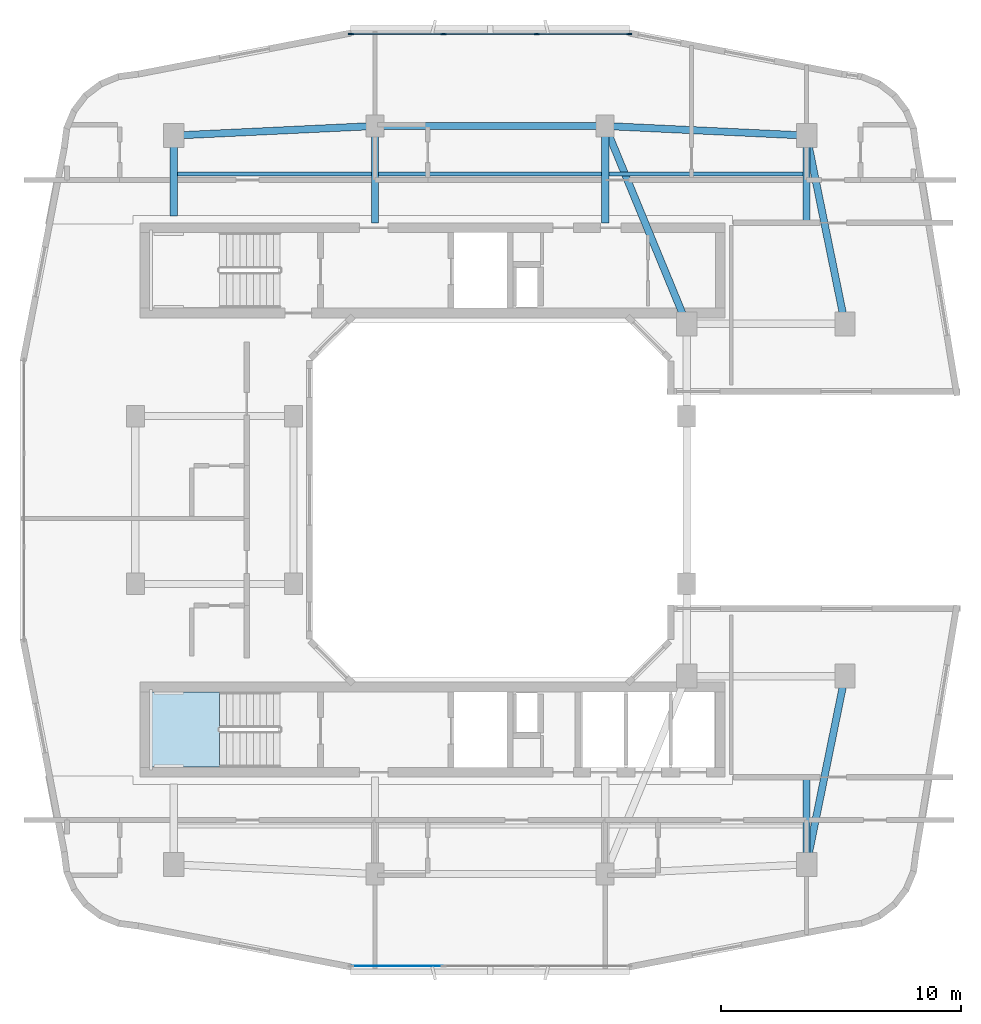
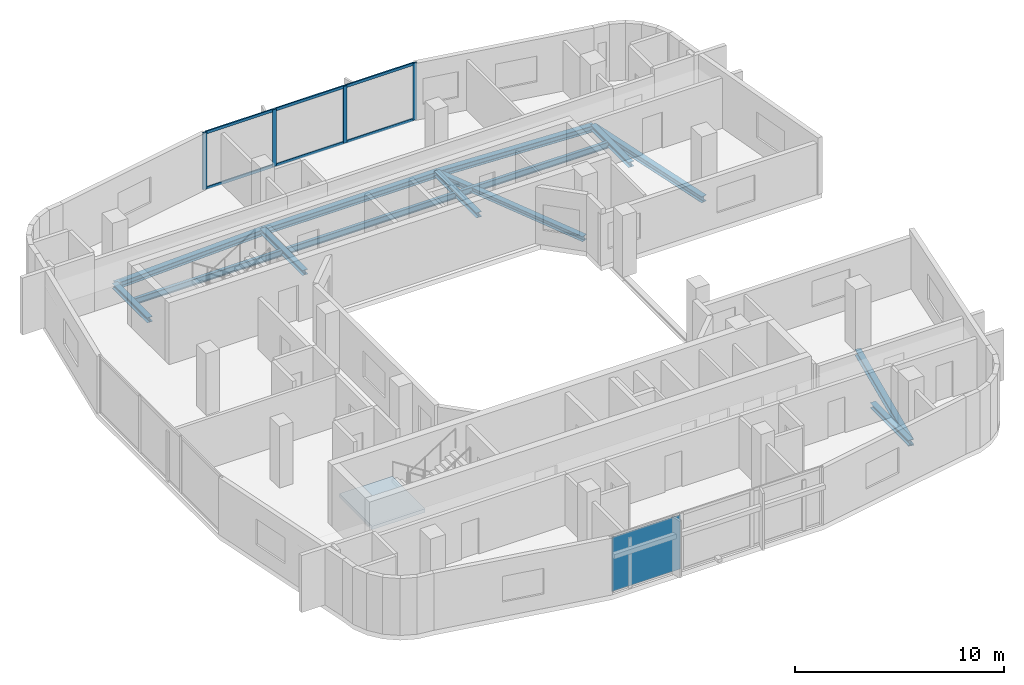
# One storey, part 3 of 12: 14 beams, 10 members, 1 plate, 1 slab, 3 elements without a shape of their own.
"""IFC4 building model written with IfcOpenShell, lengths in metres."""

from ifc_helpers import new_model, si_unit, derived_unit, direction, frame, origin, origin_2d, place, context, subcontext, project, spatial, polyline, rectangle, i_section, outline, extrude, material, layer, layer_set, material_profile, profile_set, type_object, element, aggregate, save


model = new_model("IFC4")

# Units and contexts
model_context = context("Model", 3, precision=1e-05, world=origin(), true_north=direction((0.0, 1.0)))
body_context = subcontext(model_context, "Body", "Model", "MODEL_VIEW")
ifc_project = project(units=[si_unit("LENGTHUNIT", "METRE"), si_unit("AREAUNIT", "SQUARE_METRE"), si_unit("VOLUMEUNIT", "CUBIC_METRE"), si_unit("PLANEANGLEUNIT", "RADIAN"), si_unit("MASSUNIT", "GRAM", prefix="KILO"), derived_unit("THERMALTRANSMITTANCEUNIT", [(si_unit("POWERUNIT", "WATT"), 1), (si_unit("LENGTHUNIT", "METRE"), -2), (si_unit("THERMODYNAMICTEMPERATUREUNIT", "KELVIN"), -1)])], contexts=[model_context])

# Site, building, storey
site_placement = place(None, origin())
site = spatial("IfcSite", under=ifc_project, at=site_placement, CompositionType="ELEMENT")
building_placement = place(site_placement, origin())
building = spatial("IfcBuilding", under=site, at=building_placement, Name="Kivonza Crest Hotel", CompositionType="ELEMENT")
storey_placement = place(building_placement, frame((0.0, 0.0, 188.300048828125)))
storey = spatial("IfcBuildingStorey", under=building, at=storey_placement, Name="L51", CompositionType="ELEMENT", Elevation=188.300048828125)

# Beams
ifc_material_1 = material(Name="Steel S355", Category="steel")
ifc_material_profile_1 = material_profile(ifc_material_1, i_section(OverallWidth=0.300048828125, OverallDepth=0.300048828125, WebThickness=0.010986328125, FlangeThickness=0.01904296875, FilletRadius=0.027099609375, at=origin_2d()), Name="HEB 300")
ifc_profile_set_1 = profile_set([ifc_material_profile_1], Name="Steel S355")
beam_type_1 = type_object("IfcBeamType", Name="BM-HEB300", PredefinedType="BEAM", material=ifc_profile_set_1)
beam_1_placement = place(storey_placement, frame((25.800048828125, 40.60009765625, -0.429931640625), z_axis=(0.381022260404, -0.924565864109, 0.0), x_axis=(0.924565864109, 0.381022260404, 0.0)))
element("IfcBeam", 1, at=beam_1_placement, inside=storey, type_object=beam_type_1, Name="Tower T1 L51 primary girder N1-TNE", PredefinedType="BEAM", context=body_context, shape_type="SweptSolid", body=[
    extrude(i_section(OverallWidth=0.300048828125, OverallDepth=0.300048828125, WebThickness=0.010986328125, FlangeThickness=0.01904296875, FilletRadius=0.027099609375, at=origin_2d()), origin(), (0.0, 0.0, 1.0), 8.923095703125),
])
beam_2_placement = place(storey_placement, frame((34.199951171875, 9.800048828125, -0.429931640625), z_axis=(0.0, 1.0, 0.0), x_axis=(-1.0, 0.0, 0.0)))
element("IfcBeam", 2, at=beam_2_placement, inside=storey, type_object=beam_type_1, Name="Tower T1 L51 radial core girder RSE", PredefinedType="BEAM", context=body_context, shape_type="SweptSolid", body=[
    extrude(i_section(OverallWidth=0.300048828125, OverallDepth=0.300048828125, WebThickness=0.010986328125, FlangeThickness=0.01904296875, FilletRadius=0.027099609375, at=origin_2d()), origin(), (0.0, 0.0, 1.0), 3.64990234375),
])
beam_3_placement = place(storey_placement, frame((7.800048828125, 40.199951171875, -0.429931640625), z_axis=(0.0, -1.0, 0.0), x_axis=(1.0, 0.0, 0.0)))
element("IfcBeam", 3, at=beam_3_placement, inside=storey, type_object=beam_type_1, Name="Tower T1 L51 radial core girder RNW", PredefinedType="BEAM", context=body_context, shape_type="SweptSolid", body=[
    extrude(i_section(OverallWidth=0.300048828125, OverallDepth=0.300048828125, WebThickness=0.010986328125, FlangeThickness=0.01904296875, FilletRadius=0.027099609375, at=origin_2d()), origin(), (0.0, 0.0, 1.0), 3.349853515625),
])
for number, where, z_axis, x_axis, name in (
    (4, (16.199951171875, 40.60009765625, -0.429931640625), (0.0, -1.0, 0.0), (1.0, 0.0, 0.0), "Tower T1 L51 radial core girder RN1"),
    (5, (25.800048828125, 40.60009765625, -0.429931640625), (0.0, -1.0, 0.0), (1.0, 0.0, 0.0), "Tower T1 L51 radial core girder RN2"),
):
    element("IfcBeam", number, at=place(storey_placement, frame(where, z_axis=z_axis, x_axis=x_axis)), inside=storey, type_object=beam_type_1, Name=name, PredefinedType="BEAM", context=body_context, shape_type="SweptSolid", body=[
        extrude(i_section(OverallWidth=0.300048828125, OverallDepth=0.300048828125, WebThickness=0.010986328125, FlangeThickness=0.01904296875, FilletRadius=0.027099609375, at=origin_2d()), origin(), (0.0, 0.0, 1.0), 4.050048828125),
    ])
beam_4_placement = place(storey_placement, frame((34.199951171875, 40.199951171875, -0.429931640625), z_axis=(0.0, -1.0, 0.0), x_axis=(1.0, 0.0, 0.0)))
element("IfcBeam", 6, at=beam_4_placement, inside=storey, type_object=beam_type_1, Name="Tower T1 L51 radial core girder RNE", PredefinedType="BEAM", context=body_context, shape_type="SweptSolid", body=[
    extrude(i_section(OverallWidth=0.300048828125, OverallDepth=0.300048828125, WebThickness=0.010986328125, FlangeThickness=0.01904296875, FilletRadius=0.027099609375, at=origin_2d()), origin(), (0.0, 0.0, 1.0), 3.64990234375),
])
ifc_material_profile_2 = material_profile(ifc_material_1, i_section(OverallWidth=0.300048828125, OverallDepth=0.360107421875, WebThickness=0.012451171875, FlangeThickness=0.0224609375, FilletRadius=0.027099609375, at=origin_2d()), Name="HEB 360")
ifc_profile_set_2 = profile_set([ifc_material_profile_2], Name="Steel S355")
beam_type_2 = type_object("IfcBeamType", Name="BM-HEB360", PredefinedType="SPANDREL", material=ifc_profile_set_2)
for number, where, z_axis, x_axis, name in (
    (7, (34.199951171875, 9.800048828125, -0.4599609375), (0.199730733965, 0.979850822273, 0.0), (-0.979850822273, 0.199730733965, 0.0), "Tower T1 L51 perimeter spandrel SE-PSE"),
    (8, (35.800048828125, 32.35009765625, -0.4599609375), (-0.199730733965, 0.979850822273, 0.0), (-0.979850822273, -0.199730733965, 0.0), "Tower T1 L51 perimeter spandrel PNE-NE"),
):
    element("IfcBeam", number, at=place(storey_placement, frame(where, z_axis=z_axis, x_axis=x_axis)), inside=storey, type_object=beam_type_2, Name=name, PredefinedType="SPANDREL", context=body_context, shape_type="SweptSolid", body=[
        extrude(i_section(OverallWidth=0.300048828125, OverallDepth=0.360107421875, WebThickness=0.012451171875, FlangeThickness=0.0224609375, FilletRadius=0.027099609375, at=origin_2d()), origin(), (0.0, 0.0, 1.0), 8.01123046875),
    ])
beam_5_placement = place(storey_placement, frame((34.199951171875, 40.199951171875, -0.4599609375), z_axis=(-0.998867283688, 0.047583080799, 0.0), x_axis=(-0.047583080799, -0.998867283688, 0.0)))
element("IfcBeam", 9, at=beam_5_placement, inside=storey, type_object=beam_type_2, Name="Tower T1 L51 perimeter spandrel NE-N2", PredefinedType="SPANDREL", context=body_context, shape_type="SweptSolid", body=[
    extrude(i_section(OverallWidth=0.300048828125, OverallDepth=0.360107421875, WebThickness=0.012451171875, FlangeThickness=0.0224609375, FilletRadius=0.027099609375, at=origin_2d()), origin(), (0.0, 0.0, 1.0), 8.409423828125),
])
beam_6_placement = place(storey_placement, frame((25.800048828125, 40.60009765625, -0.4599609375), z_axis=(-1.0, 0.0, 0.0), x_axis=(0.0, -1.0, 0.0)))
element("IfcBeam", 10, at=beam_6_placement, inside=storey, type_object=beam_type_2, Name="Tower T1 L51 perimeter spandrel N2-N1", PredefinedType="SPANDREL", context=body_context, shape_type="SweptSolid", body=[
    extrude(i_section(OverallWidth=0.300048828125, OverallDepth=0.360107421875, WebThickness=0.012451171875, FlangeThickness=0.0224609375, FilletRadius=0.027099609375, at=origin_2d()), origin(), (0.0, 0.0, 1.0), 9.60009765625),
])
beam_7_placement = place(storey_placement, frame((16.199951171875, 40.60009765625, -0.4599609375), z_axis=(-0.998867283688, -0.047583080799, 0.0), x_axis=(0.047583080799, -0.998867283688, 0.0)))
element("IfcBeam", 11, at=beam_7_placement, inside=storey, type_object=beam_type_2, Name="Tower T1 L51 perimeter spandrel N1-NW", PredefinedType="SPANDREL", context=body_context, shape_type="SweptSolid", body=[
    extrude(i_section(OverallWidth=0.300048828125, OverallDepth=0.360107421875, WebThickness=0.012451171875, FlangeThickness=0.0224609375, FilletRadius=0.027099609375, at=origin_2d()), origin(), (0.0, 0.0, 1.0), 8.409423828125),
])
ifc_material_profile_3 = material_profile(ifc_material_1, i_section(OverallWidth=0.169921875, OverallDepth=0.360107421875, WebThickness=0.008056640625, FlangeThickness=0.0126953125, FilletRadius=0.01806640625, at=origin_2d()), Name="IPE 360")
ifc_profile_set_3 = profile_set([ifc_material_profile_3], Name="Steel S355")
beam_type_3 = type_object("IfcBeamType", Name="BM-IPE360", PredefinedType="JOIST", material=ifc_profile_set_3)
beam_8_placement = place(storey_placement, frame((7.8798828125, 38.60009765625, -0.4599609375), z_axis=(1.0, 0.0, 0.0), x_axis=(0.0, 1.0, 0.0)))
element("IfcBeam", 12, at=beam_8_placement, inside=storey, type_object=beam_type_3, Name="Tower T1 L51 North-West floor joist", PredefinedType="JOIST", context=body_context, shape_type="SweptSolid", body=[
    extrude(i_section(OverallWidth=0.169921875, OverallDepth=0.360107421875, WebThickness=0.008056640625, FlangeThickness=0.0126953125, FilletRadius=0.01806640625, at=origin_2d()), origin(), (0.0, 0.0, 1.0), 8.240234375),
])
beam_9_placement = place(storey_placement, frame((16.280029296875, 38.60009765625, -0.4599609375), z_axis=(1.0, 0.0, 0.0), x_axis=(0.0, 1.0, 0.0)))
element("IfcBeam", 13, at=beam_9_placement, inside=storey, type_object=beam_type_3, Name="Tower T1 L51 North-Mid floor joist", PredefinedType="JOIST", context=body_context, shape_type="SweptSolid", body=[
    extrude(i_section(OverallWidth=0.169921875, OverallDepth=0.360107421875, WebThickness=0.008056640625, FlangeThickness=0.0126953125, FilletRadius=0.01806640625, at=origin_2d()), origin(), (0.0, 0.0, 1.0), 9.43994140625),
])
beam_10_placement = place(storey_placement, frame((25.8798828125, 38.60009765625, -0.4599609375), z_axis=(1.0, 0.0, 0.0), x_axis=(0.0, 1.0, 0.0)))
element("IfcBeam", 14, at=beam_10_placement, inside=storey, type_object=beam_type_3, Name="Tower T1 L51 North-East floor joist", PredefinedType="JOIST", context=body_context, shape_type="SweptSolid", body=[
    extrude(i_section(OverallWidth=0.169921875, OverallDepth=0.360107421875, WebThickness=0.008056640625, FlangeThickness=0.0126953125, FilletRadius=0.01806640625, at=origin_2d()), origin(), (0.0, 0.0, 1.0), 8.240234375),
])

# Curtain wall, members
ifc_material_2 = material(Name="Anodised bronze aluminium and low-E double glazing", Category="aluminium")
ifc_layer_1 = layer(ifc_material_2, 0.179931640625)
ifc_layer_set_1 = layer_set([ifc_layer_1], Name="Anodised bronze aluminium and low-E double glazing")
curtain_wall_type = type_object("IfcCurtainWallType", Name="CW-SYS-3", PredefinedType="NOTDEFINED", material=ifc_layer_set_1)
curtain_wall_1_placement = place(storey_placement, origin())
curtain_wall_1 = element("IfcCurtainWall", 15, at=curtain_wall_1_placement, inside=storey, type_object=curtain_wall_type, Name="L51 unitised curtain wall CW-T1-L51-36", PredefinedType="NOTDEFINED")
ifc_material_3 = material(Name="Anodised bronze aluminium", Category="aluminium")
ifc_material_profile_4 = material_profile(ifc_material_3, rectangle(XDim=0.074951171875, YDim=0.219970703125, at=origin_2d()), Name="CW-M 75x220")
ifc_profile_set_4 = profile_set([ifc_material_profile_4], Name="Anodised bronze aluminium")
member_type_1 = type_object("IfcMemberType", Name="CW-MUL-75x220", PredefinedType="MULLION", material=ifc_profile_set_4)
member_1_placement = place(storey_placement, frame((26.802490234375, 44.43994140625, 0.0), z_axis=(0.0, 0.0, 1.0), x_axis=(0.0, -1.0, 0.0)))
member_1 = element("IfcMember", 16, at=member_1_placement, type_object=member_type_1, Name="CW-3 mullion 1", PredefinedType="MULLION", context=body_context, shape_type="SweptSolid", body=[
    extrude(rectangle(XDim=0.074951171875, YDim=0.219970703125, at=origin_2d()), origin(), (0.0, 0.0, 1.0), 3.320068359375),
])
member_2_placement = place(storey_placement, frame((22.94677734375, 44.43994140625, 0.0), z_axis=(0.0, 0.0, 1.0), x_axis=(0.0, -1.0, 0.0)))
member_2 = element("IfcMember", 17, at=member_2_placement, type_object=member_type_1, Name="CW-3 mullion 2", PredefinedType="MULLION", context=body_context, shape_type="SweptSolid", body=[
    extrude(rectangle(XDim=0.074951171875, YDim=0.219970703125, at=origin_2d()), origin(), (0.0, 0.0, 1.0), 3.320068359375),
])
member_3_placement = place(storey_placement, frame((19.05322265625, 44.43994140625, 0.0), z_axis=(0.0, 0.0, 1.0), x_axis=(0.0, -1.0, 0.0)))
member_3 = element("IfcMember", 18, at=member_3_placement, type_object=member_type_1, Name="CW-3 mullion 3", PredefinedType="MULLION", context=body_context, shape_type="SweptSolid", body=[
    extrude(rectangle(XDim=0.074951171875, YDim=0.219970703125, at=origin_2d()), origin(), (0.0, 0.0, 1.0), 3.320068359375),
])
member_4_placement = place(storey_placement, frame((15.197509765625, 44.43994140625, 0.0), z_axis=(0.0, 0.0, 1.0), x_axis=(0.0, -1.0, 0.0)))
member_4 = element("IfcMember", 19, at=member_4_placement, type_object=member_type_1, Name="CW-3 mullion 4", PredefinedType="MULLION", context=body_context, shape_type="SweptSolid", body=[
    extrude(rectangle(XDim=0.074951171875, YDim=0.219970703125, at=origin_2d()), origin(), (0.0, 0.0, 1.0), 3.320068359375),
])
ifc_material_profile_5 = material_profile(ifc_material_3, rectangle(XDim=0.074951171875, YDim=0.159912109375, at=origin_2d()), Name="CW-T 75x160")
ifc_profile_set_5 = profile_set([ifc_material_profile_5], Name="Anodised bronze aluminium")
member_type_2 = type_object("IfcMemberType", Name="CW-TRN-75x160", PredefinedType="USERDEFINED", material=ifc_profile_set_5)
member_5_placement = place(storey_placement, frame((26.764892578125, 44.43994140625, 0.037353515625), z_axis=(-1.0, 0.0, 0.0), x_axis=(0.0, -1.0, 0.0)))
member_5 = element("IfcMember", 20, at=member_5_placement, type_object=member_type_2, Name="CW-3 transom 1.1", ObjectType="TRANSOM", PredefinedType="USERDEFINED", context=body_context, shape_type="SweptSolid", body=[
    extrude(rectangle(XDim=0.074951171875, YDim=0.159912109375, at=origin_2d()), origin(), (0.0, 0.0, 1.0), 3.78076171875),
])
member_6_placement = place(storey_placement, frame((26.764892578125, 44.43994140625, 3.282470703125), z_axis=(-1.0, 0.0, 0.0), x_axis=(0.0, -1.0, 0.0)))
member_6 = element("IfcMember", 21, at=member_6_placement, type_object=member_type_2, Name="CW-3 transom 1.2", ObjectType="TRANSOM", PredefinedType="USERDEFINED", context=body_context, shape_type="SweptSolid", body=[
    extrude(rectangle(XDim=0.074951171875, YDim=0.159912109375, at=origin_2d()), origin(), (0.0, 0.0, 1.0), 3.78076171875),
])
member_7_placement = place(storey_placement, frame((22.9091796875, 44.43994140625, 0.037353515625), z_axis=(-1.0, 0.0, 0.0), x_axis=(0.0, -1.0, 0.0)))
member_7 = element("IfcMember", 22, at=member_7_placement, type_object=member_type_2, Name="CW-3 transom 2.1", ObjectType="TRANSOM", PredefinedType="USERDEFINED", context=body_context, shape_type="SweptSolid", body=[
    extrude(rectangle(XDim=0.074951171875, YDim=0.159912109375, at=origin_2d()), origin(), (0.0, 0.0, 1.0), 3.818359375),
])
member_8_placement = place(storey_placement, frame((22.9091796875, 44.43994140625, 3.282470703125), z_axis=(-1.0, 0.0, 0.0), x_axis=(0.0, -1.0, 0.0)))
member_8 = element("IfcMember", 23, at=member_8_placement, type_object=member_type_2, Name="CW-3 transom 2.2", ObjectType="TRANSOM", PredefinedType="USERDEFINED", context=body_context, shape_type="SweptSolid", body=[
    extrude(rectangle(XDim=0.074951171875, YDim=0.159912109375, at=origin_2d()), origin(), (0.0, 0.0, 1.0), 3.818359375),
])
member_9_placement = place(storey_placement, frame((19.015869140625, 44.43994140625, 0.037353515625), z_axis=(-1.0, 0.0, 0.0), x_axis=(0.0, -1.0, 0.0)))
member_9 = element("IfcMember", 24, at=member_9_placement, type_object=member_type_2, Name="CW-3 transom 3.1", ObjectType="TRANSOM", PredefinedType="USERDEFINED", context=body_context, shape_type="SweptSolid", body=[
    extrude(rectangle(XDim=0.074951171875, YDim=0.159912109375, at=origin_2d()), origin(), (0.0, 0.0, 1.0), 3.78076171875),
])
member_10_placement = place(storey_placement, frame((19.015869140625, 44.43994140625, 3.282470703125), z_axis=(-1.0, 0.0, 0.0), x_axis=(0.0, -1.0, 0.0)))
member_10 = element("IfcMember", 25, at=member_10_placement, type_object=member_type_2, Name="CW-3 transom 3.2", ObjectType="TRANSOM", PredefinedType="USERDEFINED", context=body_context, shape_type="SweptSolid", body=[
    extrude(rectangle(XDim=0.074951171875, YDim=0.159912109375, at=origin_2d()), origin(), (0.0, 0.0, 1.0), 3.78076171875),
])
aggregate(curtain_wall_1, [member_1, member_2, member_3, member_4, member_5, member_6, member_7, member_8, member_9, member_10])

# Curtain wall, plate
curtain_wall_2_placement = place(storey_placement, origin())
curtain_wall_2 = element("IfcCurtainWall", 26, at=curtain_wall_2_placement, inside=storey, type_object=curtain_wall_type, Name="L51 unitised curtain wall CW-T1-L51-08", PredefinedType="NOTDEFINED")
ifc_material_4 = material(Name="Acoustic triple-laminated low-E glazing", Category="glass")
ifc_layer_2 = layer(ifc_material_4, 0.035888671875)
ifc_layer_set_2 = layer_set([ifc_layer_2], Name="Acoustic triple-laminated low-E glazing")
plate_type = type_object("IfcPlateType", Name="CW-PNL-36", PredefinedType="CURTAIN_PANEL", material=ifc_layer_set_2)
plate_placement = place(storey_placement, frame((17.12548828125, 5.56005859375, 0.074951171875), z_axis=(0.0, 0.0, 1.0), x_axis=(1.0, 0.0, 0.0)))
plate = element("IfcPlate", 27, at=plate_placement, type_object=plate_type, Name="CW-3 panel 1.1", PredefinedType="CURTAIN_PANEL", context=body_context, shape_type="SweptSolid", body=[
    extrude(rectangle(XDim=3.78076171875, YDim=0.035888671875, at=origin_2d()), origin(), (0.0, 0.0, 1.0), 3.169921875),
])
aggregate(curtain_wall_2, [plate])

# Stair, slab
ifc_material_5 = material(Name="Concrete C40/50", Category="concrete")
stair_type = type_object("IfcStairType", Name="ST-DL-20R", PredefinedType="HALF_TURN_STAIR", material=ifc_material_5)
stair_placement = place(storey_placement, origin())
stair = element("IfcStair", 28, at=stair_placement, inside=storey, type_object=stair_type, Name="L51 Protected Exit Stair ST-T1-S", PredefinedType="HALF_TURN_STAIR")
ifc_layer_3 = layer(ifc_material_5, 0.199951171875)
ifc_layer_set_3 = layer_set([ifc_layer_3], Name="Concrete C40/50")
slab_type = type_object("IfcSlabType", Name="SL-LAND-200", PredefinedType="LANDING", material=ifc_layer_set_3)
slab_placement = place(storey_placement, frame((0.0, 0.0, 1.599853515625)))
slab = element("IfcSlab", 29, at=slab_placement, type_object=slab_type, Name="ST-T1-S landing 1", PredefinedType="LANDING", context=body_context, shape_type="SweptSolid", body=[
    extrude(outline(polyline([(9.719970703125, 17.0), (6.800048828125, 17.0), (6.800048828125, 13.860107421875), (9.719970703125, 13.860107421875), (9.719970703125, 17.0)])), origin(), (0.0, 0.0, 1.0), 0.2001953125),
])
aggregate(stair, [slab])

save(model, "model.ifc")
